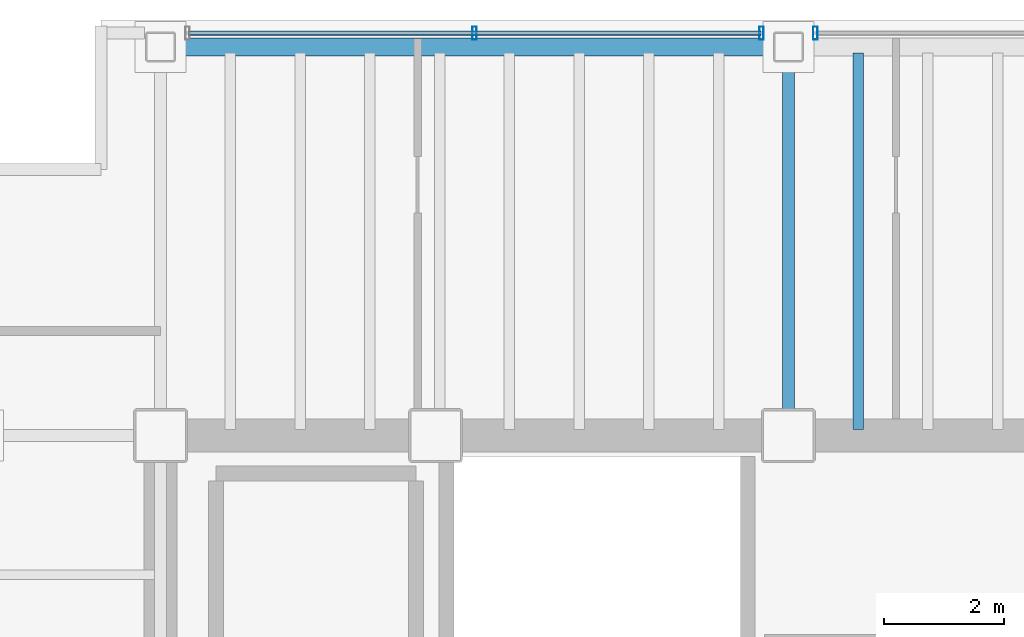
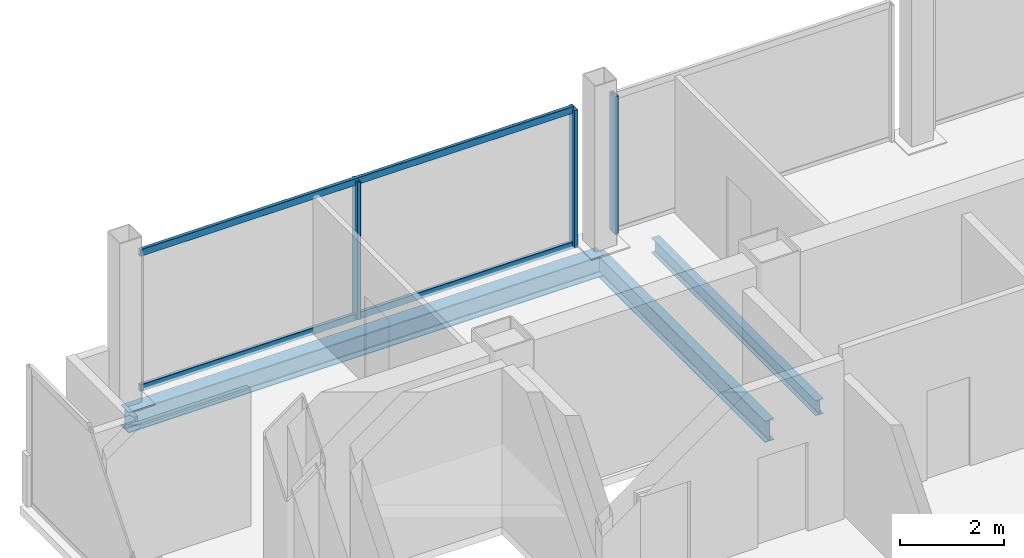
# One storey, part 7 of 15: 5 members, 3 beams, 2 elements without a shape of their own.
"""IFC4 building model written with IfcOpenShell, lengths in metres."""

import ifcopenshell
import ifcopenshell.guid

model = None  # the IFC model being written
_history = None  # IfcOwnerHistory: only IFC2X3 demands one
_inside = {}  # id of a spatial element -> (the spatial element, [elements in it])
_under = {}  # id of a project, library or spatial element -> (it, [spatial elements below it])
_declared = {}  # id of a project -> (the project, [libraries it declares])
_typed = {}  # id of a type object -> (the type object, [elements of that type])
_made_of = {}  # id of a material, layer set ... -> (it, [elements and type objects made of it])


def new_model(schema):
    """Start an empty IFC model of exactly this schema.

    Asked for "IFC4X3", IfcOpenShell would pick the latest addendum, in which some entities
    have other attributes; the version numbers below select the first issue.
    IFC2X3 requires an IfcOwnerHistory on every rooted entity: one is made here for all.
    """
    global model, _history
    if schema == "IFC4X3":
        model = ifcopenshell.file(schema_version=(4, 3, 0, 0))
    else:
        model = ifcopenshell.file(schema=schema)
    _inside.clear()
    _under.clear()
    _declared.clear()
    _typed.clear()
    _made_of.clear()
    _history = None
    if model.schema == "IFC2X3":
        org = make("IfcOrganization", Name="unknown")
        user = make(
            "IfcPersonAndOrganization",
            ThePerson=make("IfcPerson", FamilyName="unknown"),
            TheOrganization=org,
        )
        app = make(
            "IfcApplication",
            ApplicationDeveloper=org,
            Version="unknown",
            ApplicationFullName="unknown",
            ApplicationIdentifier="unknown",
        )
        _history = make(
            "IfcOwnerHistory",
            OwningUser=user,
            OwningApplication=app,
            ChangeAction="ADDED",
            CreationDate=0,
        )
    return model


def make(cls, **values):
    """One entity of the class cls with the attributes given. An attribute that is None is left unset."""
    return model.create_entity(
        cls, **{name: value for name, value in values.items() if value is not None}
    )


def rooted(cls, **values):
    """An entity with a GlobalId (a new one), such as an element, a storey or a relation."""
    return make(cls, GlobalId=ifcopenshell.guid.new(), OwnerHistory=_history, **values)


def si_unit(unit_type, name, prefix=None):
    """IfcSIUnit, for example si_unit("LENGTHUNIT", "METRE", prefix="MILLI")."""
    return make("IfcSIUnit", UnitType=unit_type, Prefix=prefix, Name=name)


def assignment(units):
    """IfcUnitAssignment: the units of a project."""
    return None if units is None else make("IfcUnitAssignment", Units=units)


def point(xyz):
    """IfcCartesianPoint."""
    return None if xyz is None else make("IfcCartesianPoint", Coordinates=xyz)


def direction(xyz):
    """IfcDirection."""
    return None if xyz is None else make("IfcDirection", DirectionRatios=xyz)


def frame(location, z_axis=None, x_axis=None):
    """IfcAxis2Placement3D, a coordinate frame: its origin and axes. An axis left out is left unset."""
    return make(
        "IfcAxis2Placement3D",
        Location=point(location),
        Axis=direction(z_axis),
        RefDirection=direction(x_axis),
    )


def frame_2d(location, x_axis=None):
    """IfcAxis2Placement2D, a coordinate frame in the plane: its origin and x axis."""
    return make(
        "IfcAxis2Placement2D", Location=point(location), RefDirection=direction(x_axis)
    )


def origin():
    """The frame at (0, 0, 0) with its axes left unset."""
    return frame((0.0, 0.0, 0.0))


def origin_2d():
    """The frame at (0, 0) in the plane with its x axis left unset."""
    return frame_2d((0.0, 0.0))


def place(relative_to, where):
    """IfcLocalPlacement: puts the frame where relative to a parent placement (None: the world)."""
    return make(
        "IfcLocalPlacement", PlacementRelTo=relative_to, RelativePlacement=where
    )


def context(
    kind, dimensions, precision=None, world=None, true_north=None, identifier=None
):
    """IfcGeometricRepresentationContext, for example the 3D "Model" context."""
    return make(
        "IfcGeometricRepresentationContext",
        ContextIdentifier=identifier,
        ContextType=kind,
        CoordinateSpaceDimension=dimensions,
        Precision=precision,
        WorldCoordinateSystem=world,
        TrueNorth=true_north,
    )


def subcontext(parent, identifier, kind, view, scale=None):
    """IfcGeometricRepresentationSubContext, for example "Body" below "Model"."""
    return make(
        "IfcGeometricRepresentationSubContext",
        ContextIdentifier=identifier,
        ContextType=kind,
        ParentContext=parent,
        TargetScale=scale,
        TargetView=view,
    )


def project(units=None, contexts=None):
    """IfcProject with its units and contexts."""
    return rooted(
        "IfcProject",
        Name="project",
        RepresentationContexts=contexts,
        UnitsInContext=assignment(units),
    )


def spatial(cls, under=None, at=None, **own):
    """A site, building, storey or space (cls), placed at a placement, below another one or the project."""
    s = rooted(cls, ObjectPlacement=at, **own)
    if under is not None:
        _under.setdefault(under.id(), (under, []))[1].append(s)
    return s


def profile(cls, at=None, kind="AREA", **sizes):
    """A parametric profile (cls). Its sizes go by their IFC names, for example OverallWidth=200.0."""
    return make(cls, ProfileType=kind, Position=at, **sizes)


def hollow_rectangle(**sizes):
    """IfcRectangleHollowProfileDef."""
    return profile("IfcRectangleHollowProfileDef", **sizes)


def i_section(**sizes):
    """IfcIShapeProfileDef."""
    return profile("IfcIShapeProfileDef", **sizes)


def extrude(swept, where, along, depth):
    """IfcExtrudedAreaSolid: the profile swept, set in the frame where, extruded along a direction by depth."""
    return make(
        "IfcExtrudedAreaSolid",
        SweptArea=swept,
        Position=where,
        ExtrudedDirection=direction(along),
        Depth=depth,
    )


def shape(context_of_items, identifier, shape_type, items):
    """IfcShapeRepresentation: the items that make up one representation, for example the "Body"."""
    return make(
        "IfcShapeRepresentation",
        ContextOfItems=context_of_items,
        RepresentationIdentifier=identifier,
        RepresentationType=shape_type,
        Items=items,
    )


def material(Name=None, Category=None):
    """IfcMaterial."""
    return make("IfcMaterial", Name=Name, Category=Category)


def material_profile(
    of_material, cross_section, Name=None, Category=None, Priority=None
):
    """IfcMaterialProfile: a cross section and its material."""
    return make(
        "IfcMaterialProfile",
        Name=Name,
        Material=of_material,
        Profile=cross_section,
        Priority=Priority,
        Category=Category,
    )


def profile_set(profiles, Name=None, composite=None):
    """IfcMaterialProfileSet."""
    return make(
        "IfcMaterialProfileSet",
        Name=Name,
        MaterialProfiles=profiles,
        CompositeProfile=composite,
    )


def made_of(thing, what):
    """Note that an element or type object is made of a material, layer set ...; save() writes the relation."""
    if what is not None:
        _made_of.setdefault(what.id(), (what, []))[1].append(thing)
    return thing


def type_object(cls, material=None, **own):
    """A type object (cls), such as IfcWallType, which elements share."""
    return made_of(rooted(cls, **own), material)


def element(
    cls,
    number,
    at=None,
    inside=None,
    cuts=None,
    type_object=None,
    material=None,
    context=None,
    identifier="Body",
    shape_type=None,
    held_by="IfcProductDefinitionShape",
    body=None,
    shapes=None,
    **own,
):
    """One element of the class cls, such as IfcWall. Its Tag is "e" and its number.

    at: its placement. inside: the storey or other place that contains it. cuts: it is an
    opening in that element (IfcRelVoidsElement). A single representation is given by context,
    identifier, shape_type and body (its items); several are given by shapes. held_by: the class
    of the entity that holds the representations. save() writes the other relations.
    """
    e = rooted(cls, Tag="e%d" % number, ObjectPlacement=at, **own)
    if body is not None:
        shapes = [shape(context, identifier, shape_type, body)]
    if shapes is not None:
        e.Representation = make(held_by, Representations=shapes)
    if inside is not None:
        _inside.setdefault(inside.id(), (inside, []))[1].append(e)
    if cuts is not None:
        rooted(
            "IfcRelVoidsElement", RelatingBuildingElement=cuts, RelatedOpeningElement=e
        )
    if type_object is not None:
        _typed.setdefault(type_object.id(), (type_object, []))[1].append(e)
    return made_of(e, material)


def aggregate(whole, parts):
    """IfcRelAggregates: a whole, such as a stair, and the parts it consists of."""
    return rooted("IfcRelAggregates", RelatingObject=whole, RelatedObjects=parts)


def save(model, path):
    """Write the relations noted so far, then the file.

    IfcRelAggregates (storeys below a building ...), IfcRelContainedInSpatialStructure (elements
    in a storey), IfcRelDefinesByType, IfcRelAssociatesMaterial and IfcRelDeclares: one each for
    every whole, place, type object, material and project.
    """
    for whole, parts in _under.values():
        aggregate(whole, parts)
    for where, things in _inside.values():
        rooted(
            "IfcRelContainedInSpatialStructure",
            RelatedElements=things,
            RelatingStructure=where,
        )
    for kind, things in _typed.values():
        rooted("IfcRelDefinesByType", RelatedObjects=things, RelatingType=kind)
    for what, things in _made_of.values():
        rooted("IfcRelAssociatesMaterial", RelatedObjects=things, RelatingMaterial=what)
    for by, libraries in _declared.values():
        rooted("IfcRelDeclares", RelatingContext=by, RelatedDefinitions=libraries)
    model.write(path)


model = new_model("IFC4")

# Units and contexts
model_context = context("Model", 3, precision=1e-05, world=origin(), true_north=direction((0.0, 1.0)))
body_context = subcontext(model_context, "Body", "Model", "MODEL_VIEW")
ifc_project = project(units=[si_unit("LENGTHUNIT", "METRE"), si_unit("AREAUNIT", "SQUARE_METRE"), si_unit("VOLUMEUNIT", "CUBIC_METRE"), si_unit("PLANEANGLEUNIT", "RADIAN"), si_unit("MASSUNIT", "GRAM", prefix="KILO")], contexts=[model_context])

# Site, building, storey
site_placement = place(None, origin())
site = spatial("IfcSite", under=ifc_project, at=site_placement, CompositionType="ELEMENT")
building_placement = place(site_placement, origin())
building = spatial("IfcBuilding", under=site, at=building_placement, Name="Noeulbin Bourse Tower", CompositionType="ELEMENT")
storey_placement = place(building_placement, frame((0.0, 0.0, 173.39990234375)))
storey = spatial("IfcBuildingStorey", under=building, at=storey_placement, Name="L43", CompositionType="ELEMENT", Elevation=173.39990234375)

# Beams
ifc_material_1 = material(Name="Steel S355", Category="steel")
ifc_material_profile_1 = material_profile(ifc_material_1, i_section(OverallWidth=0.199951171875, OverallDepth=0.5, WebThickness=0.010009765625, FlangeThickness=0.01611328125, FilletRadius=0.02001953125, at=origin_2d()), Name="H-500x200x10x16", Category="LoadBearing")
ifc_profile_set_1 = profile_set([ifc_material_profile_1], Name="Steel S355")
beam_type_1 = type_object("IfcBeamType", Name="BM-GRD-500", PredefinedType="USERDEFINED", material=ifc_profile_set_1)
beam_1_placement = place(storey_placement, frame((24.0, 38.300048828125, -0.429931640625), z_axis=(0.0, 1.0, 0.0), x_axis=(-1.0, 0.0, 0.0)))
element("IfcBeam", 1, at=beam_1_placement, inside=storey, type_object=beam_type_1, Name="Tower Primary Girder NS L43-2.4", ObjectType="GIRDER", PredefinedType="USERDEFINED", context=body_context, shape_type="SweptSolid", body=[
    extrude(i_section(OverallWidth=0.199951171875, OverallDepth=0.5, WebThickness=0.010009765625, FlangeThickness=0.01611328125, FilletRadius=0.02001953125, at=origin_2d()), origin(), (0.0, 0.0, 1.0), 6.5),
])
ifc_material_profile_2 = material_profile(ifc_material_1, i_section(OverallWidth=0.175048828125, OverallDepth=0.35009765625, WebThickness=0.007080078125, FlangeThickness=0.010986328125, FilletRadius=0.013916015625, at=origin_2d()), Name="H-350x175x7x11", Category="LoadBearing")
ifc_profile_set_2 = profile_set([ifc_material_profile_2], Name="Steel S355")
beam_type_2 = type_object("IfcBeamType", Name="BM-JST-350", PredefinedType="JOIST", material=ifc_profile_set_2)
beam_2_placement = place(storey_placement, frame((25.166748046875, 38.39990234375, -0.35498046875), z_axis=(0.0, 1.0, 0.0), x_axis=(-1.0, 0.0, 0.0)))
element("IfcBeam", 2, at=beam_2_placement, inside=storey, type_object=beam_type_2, Name="Tower Composite Joist L43-27", PredefinedType="JOIST", context=body_context, shape_type="SweptSolid", body=[
    extrude(i_section(OverallWidth=0.175048828125, OverallDepth=0.35009765625, WebThickness=0.007080078125, FlangeThickness=0.010986328125, FilletRadius=0.013916015625, at=origin_2d()), origin(), (0.0, 0.0, 1.0), 6.300048828125),
])
ifc_material_profile_3 = material_profile(ifc_material_1, i_section(OverallWidth=0.300048828125, OverallDepth=0.488037109375, WebThickness=0.010986328125, FlangeThickness=0.01806640625, FilletRadius=0.02197265625, at=origin_2d()), Name="H-488x300x11x18", Category="LoadBearing")
ifc_profile_set_3 = profile_set([ifc_material_profile_3], Name="Steel S355")
beam_type_3 = type_object("IfcBeamType", Name="BM-SPN-488", PredefinedType="SPANDREL", material=ifc_profile_set_3)
beam_3_placement = place(storey_placement, frame((13.5, 44.800048828125, -0.423828125), z_axis=(1.0, 0.0, 0.0), x_axis=(0.0, 1.0, 0.0)))
element("IfcBeam", 3, at=beam_3_placement, inside=storey, type_object=beam_type_3, Name="North Spandrel L43-1", PredefinedType="SPANDREL", context=body_context, shape_type="SweptSolid", body=[
    extrude(i_section(OverallWidth=0.300048828125, OverallDepth=0.488037109375, WebThickness=0.010986328125, FlangeThickness=0.01806640625, FilletRadius=0.02197265625, at=origin_2d()), origin(), (0.0, 0.0, 1.0), 10.5),
])

# Curtain wall, members
ifc_material_2 = material(Name="Dark Tinted Triple Glazing", Category="glass")
curtain_wall_type = type_object("IfcCurtainWallType", Name="CW-SYS-3", PredefinedType="NOTDEFINED", material=ifc_material_2)
curtain_wall_1_placement = place(storey_placement, origin())
curtain_wall_1 = element("IfcCurtainWall", 4, at=curtain_wall_1_placement, inside=storey, type_object=curtain_wall_type, Name="Unitised Curtain Wall CW-L43-N-S1", PredefinedType="NOTDEFINED")
ifc_material_3 = material(Name="Anodised Aluminium 6063-T6", Category="aluminium")
ifc_material_profile_4 = material_profile(ifc_material_3, hollow_rectangle(XDim=0.074951171875, YDim=0.219970703125, WallThickness=0.0048828125, InnerFilletRadius=0.00244140625, OuterFilletRadius=0.0048828125, at=origin_2d()), Name="ALU-MULL-75x220x5", Category="LoadBearing")
ifc_profile_set_4 = profile_set([ifc_material_profile_4], Name="Anodised Aluminium 6063-T6")
member_type_1 = type_object("IfcMemberType", Name="CW-SYS-3-MUL", PredefinedType="MULLION", material=ifc_profile_set_4)
member_1_placement = place(storey_placement, frame((18.75, 45.030029296875, -0.02001953125), z_axis=(0.0, 0.0, 1.0), x_axis=(1.0, 0.0, 0.0)))
member_1 = element("IfcMember", 5, at=member_1_placement, type_object=member_type_1, Name="Curtain Wall Mullion CW-L43-N-S1-M01", PredefinedType="MULLION", context=body_context, shape_type="SweptSolid", body=[
    extrude(hollow_rectangle(XDim=0.074951171875, YDim=0.219970703125, WallThickness=0.0048828125, InnerFilletRadius=0.00244140625, OuterFilletRadius=0.0048828125, at=origin_2d()), origin(), (0.0, 0.0, 1.0), 3.22021484375),
])
member_2_placement = place(storey_placement, frame((23.550048828125, 45.030029296875, -0.02001953125), z_axis=(0.0, 0.0, 1.0), x_axis=(1.0, 0.0, 0.0)))
member_2 = element("IfcMember", 6, at=member_2_placement, type_object=member_type_1, Name="Curtain Wall Mullion CW-L43-N-S1-M02", PredefinedType="MULLION", context=body_context, shape_type="SweptSolid", body=[
    extrude(hollow_rectangle(XDim=0.074951171875, YDim=0.219970703125, WallThickness=0.0048828125, InnerFilletRadius=0.00244140625, OuterFilletRadius=0.0048828125, at=origin_2d()), origin(), (0.0, 0.0, 1.0), 3.22021484375),
])

# Curtain wall, member
curtain_wall_2_placement = place(storey_placement, origin())
curtain_wall_2 = element("IfcCurtainWall", 7, at=curtain_wall_2_placement, inside=storey, type_object=curtain_wall_type, Name="Unitised Curtain Wall CW-L43-N-S2", PredefinedType="NOTDEFINED")
member_3_placement = place(storey_placement, frame((24.449951171875, 45.030029296875, -0.02001953125), z_axis=(0.0, 0.0, 1.0), x_axis=(1.0, 0.0, 0.0)))
member_3 = element("IfcMember", 8, at=member_3_placement, type_object=member_type_1, Name="Curtain Wall Mullion CW-L43-N-S2-M00", PredefinedType="MULLION", context=body_context, shape_type="SweptSolid", body=[
    extrude(hollow_rectangle(XDim=0.074951171875, YDim=0.219970703125, WallThickness=0.0048828125, InnerFilletRadius=0.00244140625, OuterFilletRadius=0.0048828125, at=origin_2d()), origin(), (0.0, 0.0, 1.0), 3.22021484375),
])
aggregate(curtain_wall_2, [member_3])

# Member
ifc_material_profile_5 = material_profile(ifc_material_3, hollow_rectangle(XDim=0.074951171875, YDim=0.159912109375, WallThickness=0.0048828125, InnerFilletRadius=0.00244140625, OuterFilletRadius=0.0048828125, at=origin_2d()), Name="ALU-TRAN-75x160x5", Category="LoadBearing")
ifc_profile_set_5 = profile_set([ifc_material_profile_5], Name="Anodised Aluminium 6063-T6")
member_type_2 = type_object("IfcMemberType", Name="CW-SYS-3-TRN", PredefinedType="USERDEFINED", material=ifc_profile_set_5)
member_4_placement = place(storey_placement, frame((13.9599609375, 45.030029296875, 0.010009765625), z_axis=(1.0, 0.0, 0.0), x_axis=(0.0, 1.0, 0.0)))
member_4 = element("IfcMember", 9, at=member_4_placement, type_object=member_type_2, Name="Curtain Wall Transom CW-L43-N-S1-T00", ObjectType="TRANSOM", PredefinedType="USERDEFINED", context=body_context, shape_type="SweptSolid", body=[
    extrude(hollow_rectangle(XDim=0.074951171875, YDim=0.159912109375, WallThickness=0.0048828125, InnerFilletRadius=0.00244140625, OuterFilletRadius=0.0048828125, at=origin_2d()), origin(), (0.0, 0.0, 1.0), 9.580078125),
])

member_5_placement = place(storey_placement, frame((13.9599609375, 45.030029296875, 3.170166015625), z_axis=(1.0, 0.0, 0.0), x_axis=(0.0, 1.0, 0.0)))
member_5 = element("IfcMember", 10, at=member_5_placement, type_object=member_type_2, Name="Curtain Wall Transom CW-L43-N-S1-T01", ObjectType="TRANSOM", PredefinedType="USERDEFINED", context=body_context, shape_type="SweptSolid", body=[
    extrude(hollow_rectangle(XDim=0.074951171875, YDim=0.159912109375, WallThickness=0.0048828125, InnerFilletRadius=0.00244140625, OuterFilletRadius=0.0048828125, at=origin_2d()), origin(), (0.0, 0.0, 1.0), 9.580078125),
])

aggregate(curtain_wall_1, [member_1, member_2, member_4, member_5])

save(model, "model.ifc")
